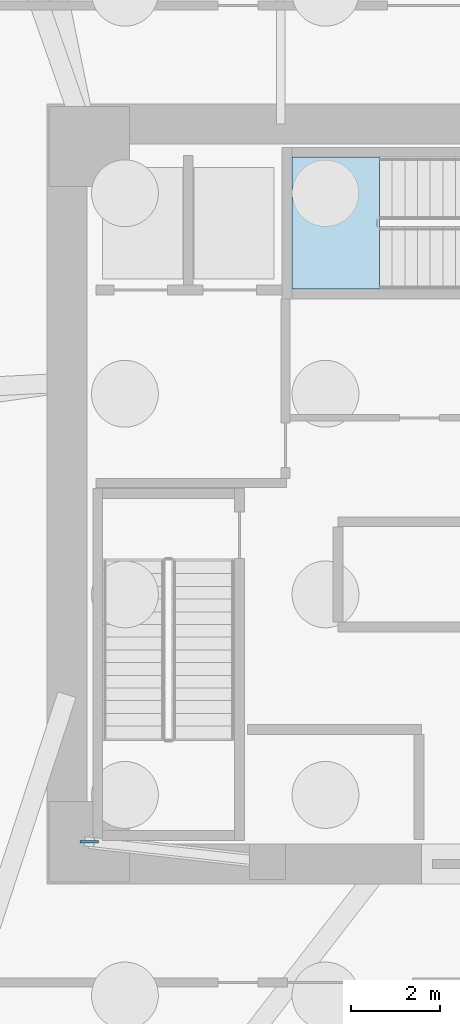
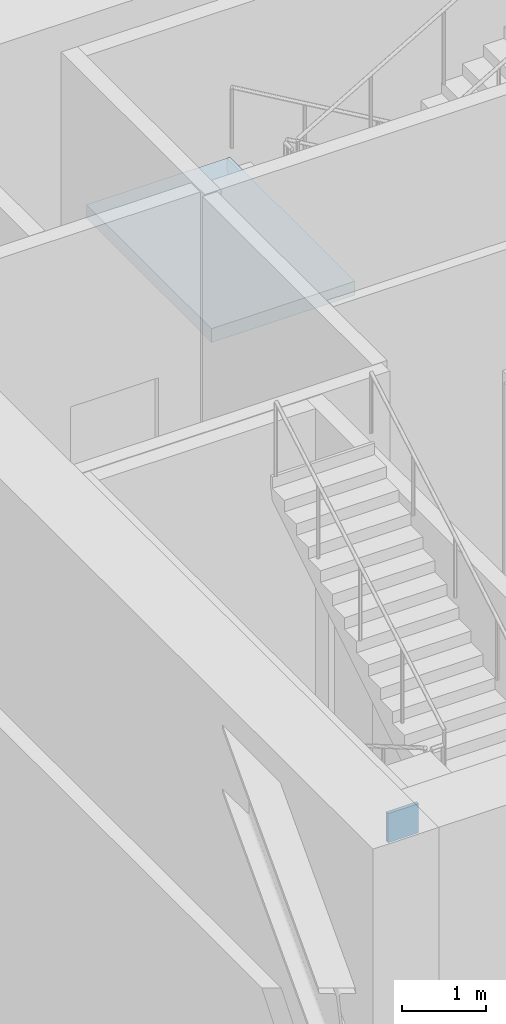
# One storey, part 3 of 8: 1 plate, 1 slab, 1 element without a shape of its own.
"""IFC4 building model written with IfcOpenShell, lengths in metres."""

from ifc_helpers import new_model, si_unit, direction, frame, origin, origin_2d, place, context, subcontext, project, spatial, polyline, rectangle, outline, extrude, source, transform, mapped, material, layer, layer_set, type_object, type_shapes, element, aggregate, save


model = new_model("IFC4")

# Units and contexts
model_context = context("Model", 3, precision=1e-05, world=origin(), true_north=direction((0.0, 1.0)))
body_context = subcontext(model_context, "Body", "Model", "MODEL_VIEW")
ifc_project = project(units=[si_unit("LENGTHUNIT", "METRE"), si_unit("AREAUNIT", "SQUARE_METRE"), si_unit("VOLUMEUNIT", "CUBIC_METRE"), si_unit("PLANEANGLEUNIT", "RADIAN"), si_unit("MASSUNIT", "GRAM", prefix="KILO")], contexts=[model_context])

# Site, building, storey
site_placement = place(None, origin())
site = spatial("IfcSite", under=ifc_project, at=site_placement, CompositionType="ELEMENT")
building_placement = place(site_placement, origin())
building = spatial("IfcBuilding", under=site, at=building_placement, Name="Durnholm Broadcast Tower", CompositionType="ELEMENT")
storey_placement = place(building_placement, frame((0.0, 0.0, -10.0)))
storey = spatial("IfcBuildingStorey", under=building, at=storey_placement, Name="B02", CompositionType="ELEMENT", Elevation=-10.0)

# Stair, slab
ifc_material_1 = material(Name="Concrete C50/60", Category="concrete")
stair_type = type_object("IfcStairType", Name="STAIR-DL-30R1667", PredefinedType="HALF_TURN_STAIR", material=ifc_material_1)
stair_placement = place(storey_placement, origin())
stair = element("IfcStair", 1, at=stair_placement, inside=storey, type_object=stair_type, Name="B02 ST-3", PredefinedType="HALF_TURN_STAIR")
ifc_layer_1 = layer(ifc_material_1, 0.199951171875)
ifc_layer_set_1 = layer_set([ifc_layer_1], Name="Concrete C50/60")
slab_type = type_object("IfcSlabType", Name="SLAB-LND-200", PredefinedType="LANDING", material=ifc_layer_set_1)
slab_placement = place(storey_placement, frame((0.0, 0.0, 2.300048828125)))
slab = element("IfcSlab", 2, at=slab_placement, type_object=slab_type, Name="ST-3 landing 1", PredefinedType="LANDING", context=body_context, shape_type="SweptSolid", body=[
    extrude(outline(polyline([(-3.2900390625, 7.56005859375), (-5.25, 7.56005859375), (-5.25, 4.60009765625), (-3.2900390625, 4.60009765625), (-3.2900390625, 7.56005859375)])), origin(), (0.0, 0.0, 1.0), 0.199951171875),
])
aggregate(stair, [slab])

# Plate
ifc_material_2 = material(Name="Steel ASTM A572 Grade 50", Category="steel")
ifc_layer_2 = layer(ifc_material_2, 0.044921875)
ifc_layer_set_2 = layer_set([ifc_layer_2], Name="Steel ASTM A572 Grade 50")
plate_type = type_object("IfcPlateType", Name="PLT-KN-STIF", PredefinedType="SHEET", material=ifc_layer_set_2)
shared_shape = source(origin(), body_context, "Body", "SweptSolid", [
    extrude(rectangle(XDim=0.419921875, YDim=0.050048828125, at=origin_2d()), origin(), (0.0, 0.0, 1.0), 0.419921875),
])
type_shapes(plate_type, [shared_shape])
plate_placement = place(storey_placement, frame((-9.800048828125, -7.800048828125, 4.271240234375), z_axis=(0.0, 0.0, 1.0), x_axis=(1.0, 0.0, 0.0)))
element("IfcPlate", 3, at=plate_placement, inside=storey, type_object=plate_type, Name="B02 gallery stringer brace core wall cast-in plate", ObjectType="GUSSET_PLATE", PredefinedType="USERDEFINED", context=body_context, shape_type="MappedRepresentation", body=[
    mapped(shared_shape, transform((0.0, 0.0, 0.0), x_axis=(1.0, 0.0, 0.0), y_axis=(0.0, 1.0, 0.0), z_axis=(0.0, 0.0, 1.0), scale=1.0)),
])

save(model, "model.ifc")
